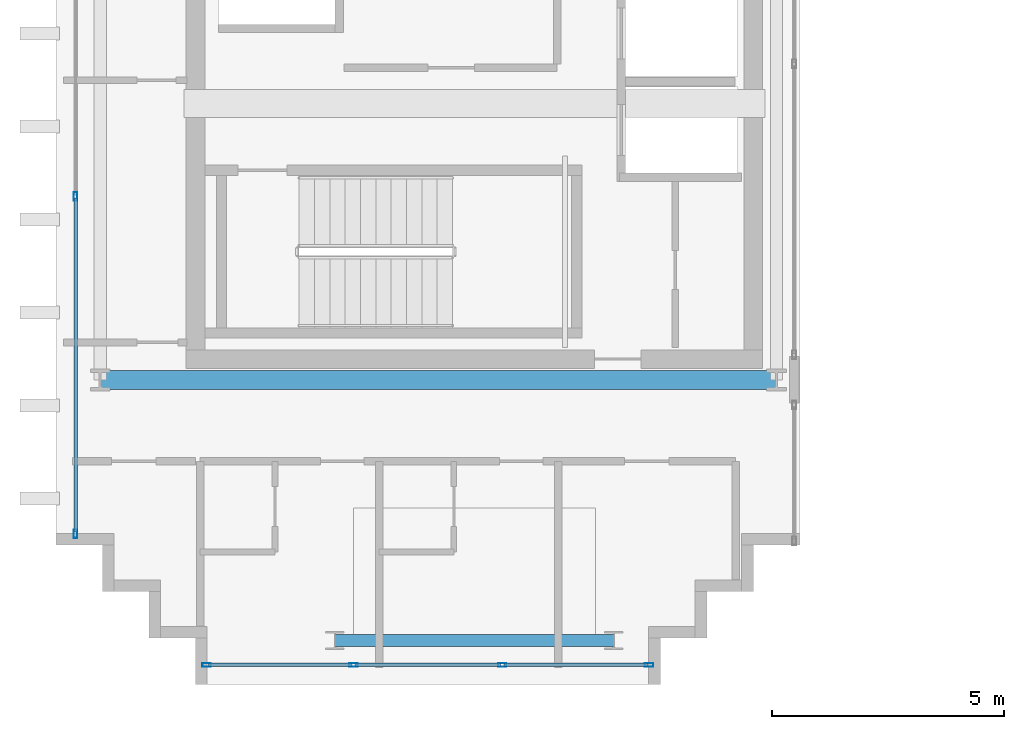
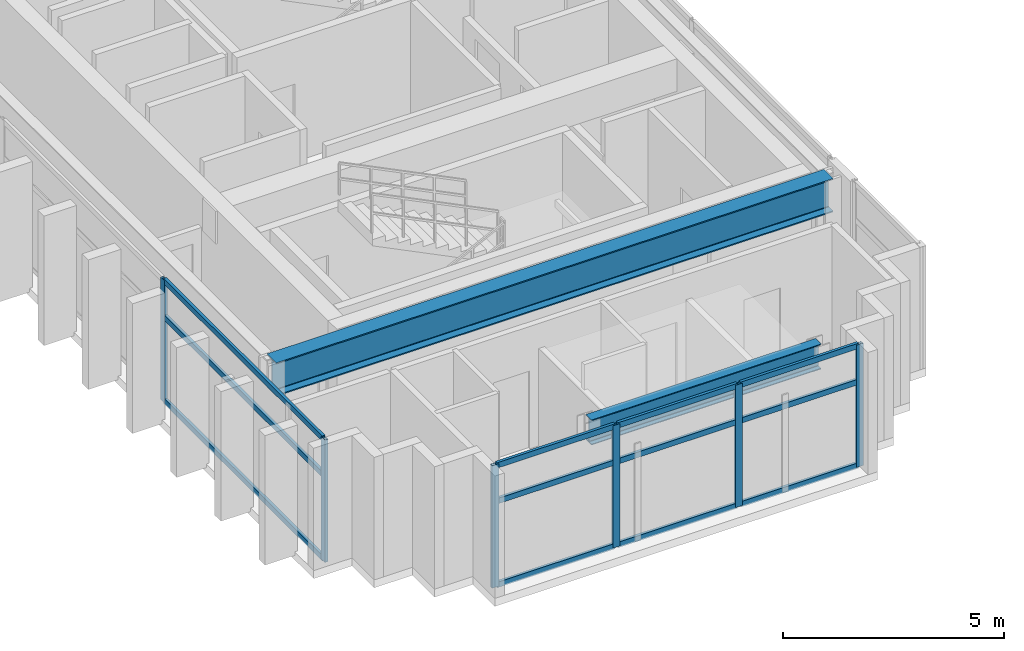
# One storey, part 2 of 25: 18 members, 2 beams, 2 elements without a shape of their own.
"""IFC4 building model written with IfcOpenShell, lengths in metres."""

from ifc_helpers import new_model, si_unit, direction, frame, origin, origin_2d, place, context, subcontext, project, spatial, hollow_rectangle, i_section, extrude, source, transform, mapped, material, layer, layer_set, material_profile, profile_set, type_object, element, aggregate, save


model = new_model("IFC4")

# Units and contexts
model_context = context("Model", 3, precision=1e-05, world=origin(), true_north=direction((0.0, 1.0)))
body_context = subcontext(model_context, "Body", "Model", "MODEL_VIEW")
ifc_project = project(units=[si_unit("LENGTHUNIT", "METRE"), si_unit("AREAUNIT", "SQUARE_METRE"), si_unit("VOLUMEUNIT", "CUBIC_METRE"), si_unit("PLANEANGLEUNIT", "RADIAN"), si_unit("MASSUNIT", "GRAM", prefix="KILO")], contexts=[model_context])

# Site, building, storey
site_placement = place(None, origin())
site = spatial("IfcSite", under=ifc_project, at=site_placement, CompositionType="ELEMENT")
building_placement = place(site_placement, origin())
building = spatial("IfcBuilding", under=site, at=building_placement, Name="Ocotamira Hotel", CompositionType="ELEMENT")
storey_placement = place(building_placement, frame((0.0, 0.0, 265.199951171875)))
storey = spatial("IfcBuildingStorey", under=building, at=storey_placement, Name="L67", CompositionType="ELEMENT", Elevation=265.199951171875)

# Beams
ifc_material_1 = material(Name="Steel ASTM A992 Grade 50", Category="steel")
ifc_material_profile_1 = material_profile(ifc_material_1, i_section(OverallWidth=0.41796875, OverallDepth=0.927001953125, WebThickness=0.019287109375, FlangeThickness=0.031982421875, FilletRadius=0.02392578125, at=origin_2d()), Name="W36X231")
ifc_profile_set_1 = profile_set([ifc_material_profile_1], Name="Steel ASTM A992 Grade 50")
beam_type_1 = type_object("IfcBeamType", Name="BM-GIRD-W36X231", PredefinedType="BEAM", material=ifc_profile_set_1)
shared_shape_1 = source(origin(), body_context, "Body", "SweptSolid", [
    extrude(i_section(OverallWidth=0.41796875, OverallDepth=0.927001953125, WebThickness=0.019287109375, FlangeThickness=0.031982421875, FilletRadius=0.02392578125, at=origin_2d()), origin(), (0.0, 0.0, 1.0), 14.550048828125),
])
beam_1_placement = place(storey_placement, frame((8.949951171875, 14.550048828125, 2.91650390625), z_axis=(1.0, 0.0, 0.0), x_axis=(0.0, 1.0, 0.0)))
element("IfcBeam", 1, at=beam_1_placement, inside=storey, type_object=beam_type_1, Name="L67 Girder Y14.55 X8.95-23.5", PredefinedType="BEAM", context=body_context, shape_type="MappedRepresentation", body=[
    mapped(shared_shape_1, transform((0.0, 0.0, 0.0), scale=1.0)),
])
ifc_material_profile_2 = material_profile(ifc_material_1, i_section(OverallWidth=0.256103515625, OverallDepth=0.693115234375, WebThickness=0.014404296875, FlangeThickness=0.023681640625, FilletRadius=0.01611328125, at=origin_2d()), Name="W27X114")
ifc_profile_set_2 = profile_set([ifc_material_profile_2], Name="Steel ASTM A992 Grade 50")
beam_type_2 = type_object("IfcBeamType", Name="BM-PRIM-W27X114", PredefinedType="BEAM", material=ifc_profile_set_2)
shared_shape_2 = source(origin(), body_context, "Body", "SweptSolid", [
    extrude(i_section(OverallWidth=0.256103515625, OverallDepth=0.693115234375, WebThickness=0.014404296875, FlangeThickness=0.023681640625, FilletRadius=0.01611328125, at=origin_2d()), origin(), (0.0, 0.0, 1.0), 6.0),
])
beam_2_placement = place(storey_placement, frame((14.0, 8.949951171875, 3.033447265625), z_axis=(1.0, 0.0, 0.0), x_axis=(0.0, 1.0, 0.0)))
element("IfcBeam", 2, at=beam_2_placement, inside=storey, type_object=beam_type_2, Name="L67 Girder Y8.95 X14-20", PredefinedType="BEAM", context=body_context, shape_type="MappedRepresentation", body=[
    mapped(shared_shape_2, transform((0.0, 0.0, 0.0), scale=1.0)),
])

# Curtain wall, members
ifc_material_2 = material(Name="Anodised pale-metal aluminium and solar glass", Category="aluminium")
ifc_layer = layer(ifc_material_2, 0.2099609375)
ifc_layer_set = layer_set([ifc_layer], Name="Anodised pale-metal aluminium and solar glass")
curtain_wall_type = type_object("IfcCurtainWallType", Name="CW-SYS7-PEAK", PredefinedType="NOTDEFINED", material=ifc_layer_set)
curtain_wall_1_placement = place(storey_placement, origin())
curtain_wall_1 = element("IfcCurtainWall", 3, at=curtain_wall_1_placement, inside=storey, type_object=curtain_wall_type, Name="L67 Curtain Wall CW-7 CW-L67-WS", PredefinedType="NOTDEFINED")
ifc_material_3 = material(Name="Anodised pale-metal aluminium 6063-T6", Category="aluminium")
ifc_material_profile_3 = material_profile(ifc_material_3, hollow_rectangle(XDim=0.080078125, YDim=0.179931640625, WallThickness=0.006103515625, at=origin_2d()), Name="HSS180X80X6")
ifc_profile_set_3 = profile_set([ifc_material_profile_3], Name="Anodised pale-metal aluminium 6063-T6")
member_type_1 = type_object("IfcMemberType", Name="CWM-180X75", PredefinedType="MULLION", material=ifc_profile_set_3)
shared_shape_3 = source(origin(), body_context, "Body", "SweptSolid", [
    extrude(hollow_rectangle(XDim=0.080078125, YDim=0.179931640625, WallThickness=0.006103515625, at=origin_2d()), origin(), (0.0, 0.0, 1.0), 3.380126953125),
])
member_1_placement = place(storey_placement, frame((11.239990234375, 8.419921875, 0.0), z_axis=(0.0, 0.0, 1.0), x_axis=(0.0, 1.0, 0.0)))
member_1 = element("IfcMember", 4, at=member_1_placement, type_object=member_type_1, Name="CW-7 mullion 1", PredefinedType="MULLION", context=body_context, shape_type="MappedRepresentation", body=[
    mapped(shared_shape_3, transform((0.0, 0.0, 0.0), scale=1.0)),
])
member_2_placement = place(storey_placement, frame((14.39990234375, 8.419921875, 0.0), z_axis=(0.0, 0.0, 1.0), x_axis=(0.0, 1.0, 0.0)))
member_2 = element("IfcMember", 5, at=member_2_placement, type_object=member_type_1, Name="CW-7 mullion 2", PredefinedType="MULLION", context=body_context, shape_type="MappedRepresentation", body=[
    mapped(shared_shape_3, transform((0.0, 0.0, 0.0), scale=1.0)),
])
member_3_placement = place(storey_placement, frame((17.60009765625, 8.419921875, 0.0), z_axis=(0.0, 0.0, 1.0), x_axis=(0.0, 1.0, 0.0)))
member_3 = element("IfcMember", 6, at=member_3_placement, type_object=member_type_1, Name="CW-7 mullion 3", PredefinedType="MULLION", context=body_context, shape_type="MappedRepresentation", body=[
    mapped(shared_shape_3, transform((0.0, 0.0, 0.0), scale=1.0)),
])
member_4_placement = place(storey_placement, frame((20.760009765625, 8.419921875, 0.0), z_axis=(0.0, 0.0, 1.0), x_axis=(0.0, 1.0, 0.0)))
member_4 = element("IfcMember", 7, at=member_4_placement, type_object=member_type_1, Name="CW-7 mullion 4", PredefinedType="MULLION", context=body_context, shape_type="MappedRepresentation", body=[
    mapped(shared_shape_3, transform((0.0, 0.0, 0.0), scale=1.0)),
])

curtain_wall_2_placement = place(storey_placement, origin())
curtain_wall_2 = element("IfcCurtainWall", 8, at=curtain_wall_2_placement, inside=storey, type_object=curtain_wall_type, Name="L67 Curtain Wall CW-7 CW-L67-WO1", PredefinedType="NOTDEFINED")
member_5_placement = place(storey_placement, frame((8.419921875, 11.239990234375, 0.0), z_axis=(0.0, 0.0, 1.0), x_axis=(-1.0, 0.0, 0.0)))
member_5 = element("IfcMember", 9, at=member_5_placement, type_object=member_type_1, Name="CW-7 mullion 1", PredefinedType="MULLION", context=body_context, shape_type="MappedRepresentation", body=[
    mapped(shared_shape_3, transform((0.0, 0.0, 0.0), scale=1.0)),
])
member_6_placement = place(storey_placement, frame((8.419921875, 18.5, 0.0), z_axis=(0.0, 0.0, 1.0), x_axis=(-1.0, 0.0, 0.0)))
member_6 = element("IfcMember", 10, at=member_6_placement, type_object=member_type_1, Name="CW-7 mullion 2", PredefinedType="MULLION", context=body_context, shape_type="MappedRepresentation", body=[
    mapped(shared_shape_3, transform((0.0, 0.0, 0.0), scale=1.0)),
])

# Member
ifc_material_profile_4 = material_profile(ifc_material_3, hollow_rectangle(XDim=0.074951171875, YDim=0.14990234375, WallThickness=0.006103515625, at=origin_2d()), Name="HSS150X75X6")
ifc_profile_set_4 = profile_set([ifc_material_profile_4], Name="Anodised pale-metal aluminium 6063-T6")
member_type_2 = type_object("IfcMemberType", Name="CWT-150X75", PredefinedType="USERDEFINED", material=ifc_profile_set_4)
shared_shape_4 = source(origin(), body_context, "Body", "SweptSolid", [
    extrude(hollow_rectangle(XDim=0.074951171875, YDim=0.14990234375, WallThickness=0.006103515625, at=origin_2d()), origin(), (0.0, 0.0, 1.0), 3.080078125),
])
member_7_placement = place(storey_placement, frame((11.280029296875, 8.419921875, 0.03759765625), z_axis=(1.0, 0.0, 0.0), x_axis=(0.0, 1.0, 0.0)))
member_7 = element("IfcMember", 11, at=member_7_placement, type_object=member_type_2, Name="CW-7 transom 1.1", ObjectType="TRANSOM", PredefinedType="USERDEFINED", context=body_context, shape_type="MappedRepresentation", body=[
    mapped(shared_shape_4, transform((0.0, 0.0, 0.0), scale=1.0)),
])

member_8_placement = place(storey_placement, frame((11.280029296875, 8.419921875, 2.35009765625), z_axis=(1.0, 0.0, 0.0), x_axis=(0.0, 1.0, 0.0)))
member_8 = element("IfcMember", 12, at=member_8_placement, type_object=member_type_2, Name="CW-7 transom 1.2", ObjectType="TRANSOM", PredefinedType="USERDEFINED", context=body_context, shape_type="MappedRepresentation", body=[
    mapped(shared_shape_4, transform((0.0, 0.0, 0.0), scale=1.0)),
])

member_9_placement = place(storey_placement, frame((11.280029296875, 8.419921875, 3.342529296875), z_axis=(1.0, 0.0, 0.0), x_axis=(0.0, 1.0, 0.0)))
member_9 = element("IfcMember", 13, at=member_9_placement, type_object=member_type_2, Name="CW-7 transom 1.3", ObjectType="TRANSOM", PredefinedType="USERDEFINED", context=body_context, shape_type="MappedRepresentation", body=[
    mapped(shared_shape_4, transform((0.0, 0.0, 0.0), scale=1.0)),
])

member_10_placement = place(storey_placement, frame((17.639892578125, 8.419921875, 0.03759765625), z_axis=(1.0, 0.0, 0.0), x_axis=(0.0, 1.0, 0.0)))
member_10 = element("IfcMember", 14, at=member_10_placement, type_object=member_type_2, Name="CW-7 transom 3.1", ObjectType="TRANSOM", PredefinedType="USERDEFINED", context=body_context, shape_type="MappedRepresentation", body=[
    mapped(shared_shape_4, transform((0.0, 0.0, 0.0), scale=1.0)),
])

member_11_placement = place(storey_placement, frame((17.639892578125, 8.419921875, 2.35009765625), z_axis=(1.0, 0.0, 0.0), x_axis=(0.0, 1.0, 0.0)))
member_11 = element("IfcMember", 15, at=member_11_placement, type_object=member_type_2, Name="CW-7 transom 3.2", ObjectType="TRANSOM", PredefinedType="USERDEFINED", context=body_context, shape_type="MappedRepresentation", body=[
    mapped(shared_shape_4, transform((0.0, 0.0, 0.0), scale=1.0)),
])

member_12_placement = place(storey_placement, frame((17.639892578125, 8.419921875, 3.342529296875), z_axis=(1.0, 0.0, 0.0), x_axis=(0.0, 1.0, 0.0)))
member_12 = element("IfcMember", 16, at=member_12_placement, type_object=member_type_2, Name="CW-7 transom 3.3", ObjectType="TRANSOM", PredefinedType="USERDEFINED", context=body_context, shape_type="MappedRepresentation", body=[
    mapped(shared_shape_4, transform((0.0, 0.0, 0.0), scale=1.0)),
])

shared_shape_5 = source(origin(), body_context, "Body", "SweptSolid", [
    extrude(hollow_rectangle(XDim=0.074951171875, YDim=0.14990234375, WallThickness=0.006103515625, at=origin_2d()), origin(), (0.0, 0.0, 1.0), 3.1201171875),
])
member_13_placement = place(storey_placement, frame((14.43994140625, 8.419921875, 0.03759765625), z_axis=(1.0, 0.0, 0.0), x_axis=(0.0, 1.0, 0.0)))
member_13 = element("IfcMember", 17, at=member_13_placement, type_object=member_type_2, Name="CW-7 transom 2.1", ObjectType="TRANSOM", PredefinedType="USERDEFINED", context=body_context, shape_type="MappedRepresentation", body=[
    mapped(shared_shape_5, transform((0.0, 0.0, 0.0), scale=1.0)),
])

member_14_placement = place(storey_placement, frame((14.43994140625, 8.419921875, 2.35009765625), z_axis=(1.0, 0.0, 0.0), x_axis=(0.0, 1.0, 0.0)))
member_14 = element("IfcMember", 18, at=member_14_placement, type_object=member_type_2, Name="CW-7 transom 2.2", ObjectType="TRANSOM", PredefinedType="USERDEFINED", context=body_context, shape_type="MappedRepresentation", body=[
    mapped(shared_shape_5, transform((0.0, 0.0, 0.0), scale=1.0)),
])

member_15_placement = place(storey_placement, frame((14.43994140625, 8.419921875, 3.342529296875), z_axis=(1.0, 0.0, 0.0), x_axis=(0.0, 1.0, 0.0)))
member_15 = element("IfcMember", 19, at=member_15_placement, type_object=member_type_2, Name="CW-7 transom 2.3", ObjectType="TRANSOM", PredefinedType="USERDEFINED", context=body_context, shape_type="MappedRepresentation", body=[
    mapped(shared_shape_5, transform((0.0, 0.0, 0.0), scale=1.0)),
])

aggregate(curtain_wall_1, [member_1, member_2, member_3, member_4, member_7, member_8, member_9, member_13, member_14, member_15, member_10, member_11, member_12])

shared_shape_6 = source(origin(), body_context, "Body", "SweptSolid", [
    extrude(hollow_rectangle(XDim=0.074951171875, YDim=0.14990234375, WallThickness=0.006103515625, at=origin_2d()), origin(), (0.0, 0.0, 1.0), 7.179931640625),
])
member_16_placement = place(storey_placement, frame((8.419921875, 11.280029296875, 0.03759765625), z_axis=(0.0, 1.0, 0.0), x_axis=(-1.0, 0.0, 0.0)))
member_16 = element("IfcMember", 20, at=member_16_placement, type_object=member_type_2, Name="CW-7 transom 1.1", ObjectType="TRANSOM", PredefinedType="USERDEFINED", context=body_context, shape_type="MappedRepresentation", body=[
    mapped(shared_shape_6, transform((0.0, 0.0, 0.0), scale=1.0)),
])

member_17_placement = place(storey_placement, frame((8.419921875, 11.280029296875, 2.35009765625), z_axis=(0.0, 1.0, 0.0), x_axis=(-1.0, 0.0, 0.0)))
member_17 = element("IfcMember", 21, at=member_17_placement, type_object=member_type_2, Name="CW-7 transom 1.2", ObjectType="TRANSOM", PredefinedType="USERDEFINED", context=body_context, shape_type="MappedRepresentation", body=[
    mapped(shared_shape_6, transform((0.0, 0.0, 0.0), scale=1.0)),
])

member_18_placement = place(storey_placement, frame((8.419921875, 11.280029296875, 3.342529296875), z_axis=(0.0, 1.0, 0.0), x_axis=(-1.0, 0.0, 0.0)))
member_18 = element("IfcMember", 22, at=member_18_placement, type_object=member_type_2, Name="CW-7 transom 1.3", ObjectType="TRANSOM", PredefinedType="USERDEFINED", context=body_context, shape_type="MappedRepresentation", body=[
    mapped(shared_shape_6, transform((0.0, 0.0, 0.0), scale=1.0)),
])

aggregate(curtain_wall_2, [member_5, member_6, member_16, member_17, member_18])

save(model, "model.ifc")
